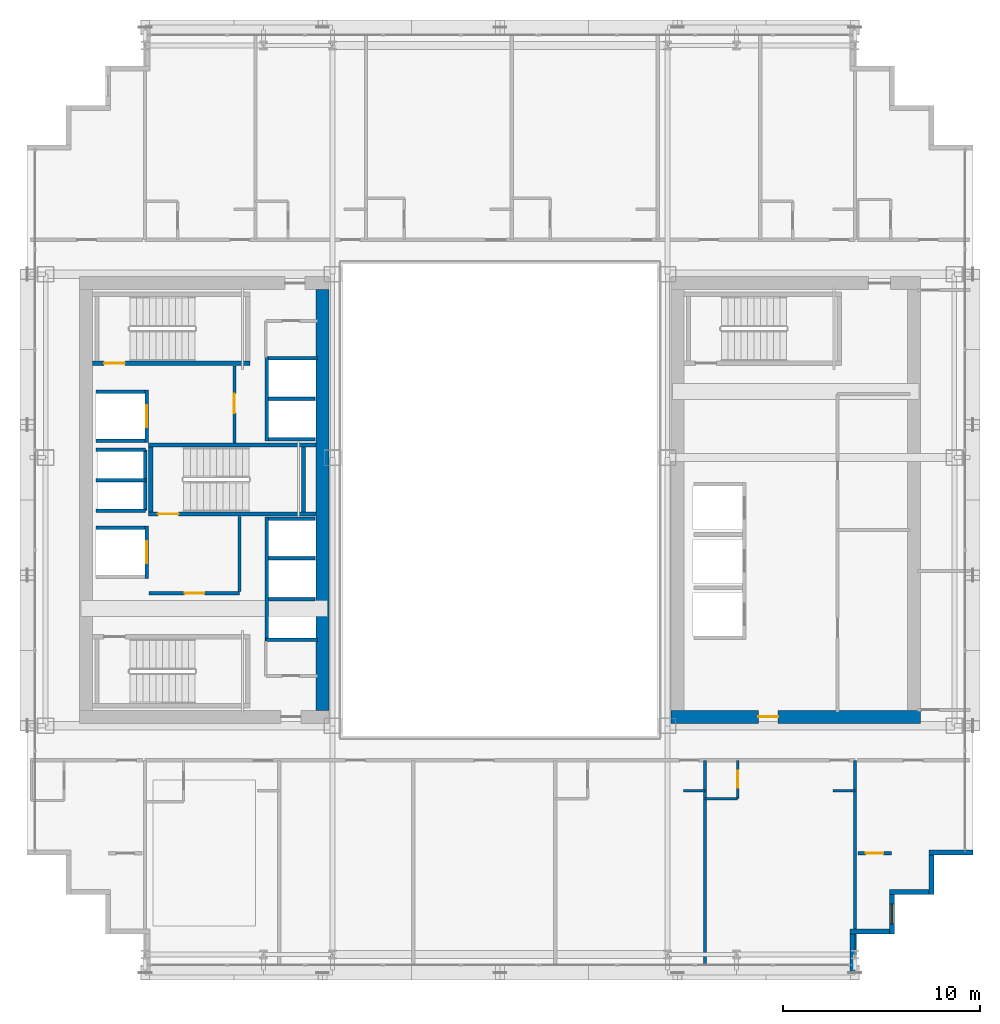
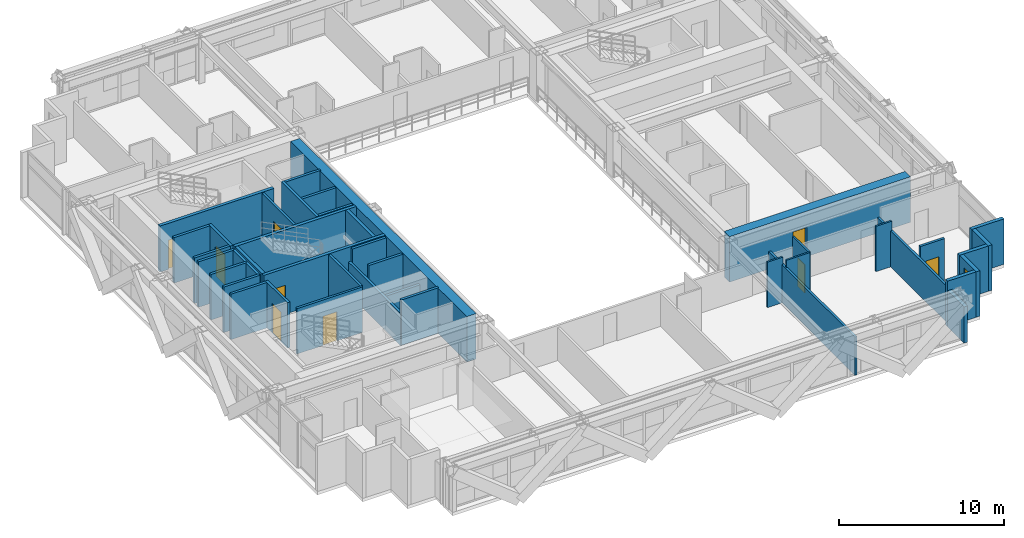
# One storey, part 28 of 35: 41 walls, 9 doors, 1 window, 10 openings.
"""IFC4 building model written with IfcOpenShell, lengths in metres."""

from ifc_helpers import new_model, si_unit, direction, frame, frame_2d, origin, place, context, subcontext, project, spatial, rectangle, extrude, source, transform, mapped, material, layer, layer_set, type_object, element, fill, save


model = new_model("IFC4")

# Units and contexts
model_context = context("Model", 3, precision=1e-05, world=origin(), true_north=direction((0.0, 1.0)))
body_context = subcontext(model_context, "Body", "Model", "MODEL_VIEW")
ifc_project = project(units=[si_unit("LENGTHUNIT", "METRE"), si_unit("AREAUNIT", "SQUARE_METRE"), si_unit("VOLUMEUNIT", "CUBIC_METRE"), si_unit("PLANEANGLEUNIT", "RADIAN"), si_unit("MASSUNIT", "GRAM", prefix="KILO")], contexts=[model_context])

# Site, building, storey
site_placement = place(None, origin())
site = spatial("IfcSite", under=ifc_project, at=site_placement, CompositionType="ELEMENT")
building_placement = place(site_placement, origin())
building = spatial("IfcBuilding", under=site, at=building_placement, Name="Ocotamira Hotel", CompositionType="ELEMENT")
storey_placement = place(building_placement, frame((0.0, 0.0, 144.0)))
storey = spatial("IfcBuildingStorey", under=building, at=storey_placement, Name="L36", CompositionType="ELEMENT", Elevation=144.0)

# Wall
ifc_material_1 = material(Name="Concrete C60/75", Category="concrete")
ifc_layer_1 = layer(ifc_material_1, 0.64990234375)
ifc_layer_set_1 = layer_set([ifc_layer_1], Name="Concrete C60/75")
wall_type_1 = type_object("IfcWallType", Name="WL-CORE-650", PredefinedType="SHEAR", material=ifc_layer_set_1)
wall_1_placement = place(storey_placement, frame((23.0, 15.324951171875, 0.0), z_axis=(0.0, 0.0, 1.0), x_axis=(0.0, 1.0, 0.0)))
element("IfcWall", 1, at=wall_1_placement, inside=storey, type_object=wall_type_1, Name="L36 Shear Core Wall WCORE-E", PredefinedType="SHEAR", context=body_context, shape_type="SweptSolid", body=[
    extrude(rectangle(XDim=21.35009765625, YDim=0.64990234375, at=frame_2d((10.675048828125, 0.0))), origin(), (0.0, 0.0, 1.0), 3.360107421875),
])

# Wall, opening, door
wall_2_placement = place(storey_placement, frame((40.675048828125, 15.0, 0.0), z_axis=(0.0, 0.0, 1.0), x_axis=(1.0, 0.0, 0.0)))
wall_2 = element("IfcWall", 2, at=wall_2_placement, inside=storey, type_object=wall_type_1, Name="L36 Shear Core Wall ECORE-S", PredefinedType="SHEAR", context=body_context, shape_type="SweptSolid", body=[
    extrude(rectangle(XDim=12.64990234375, YDim=0.64990234375, at=frame_2d((6.324951171875, 0.0))), origin(), (0.0, 0.0, 1.0), 3.360107421875),
])
opening_1_placement = place(wall_2_placement, frame((4.425048828125, 0.0, 0.0)))
opening_1 = element("IfcOpeningElement", 3, at=opening_1_placement, cuts=wall_2, Name="Opening D-FR2", PredefinedType="OPENING", context=body_context, shape_type="SweptSolid", body=[
    extrude(rectangle(XDim=1.0, YDim=2.14990234375, at=frame_2d((0.5, 1.074951171875))), frame((0.0, 0.3349609375, 0.0), z_axis=(0.0, -1.0, 0.0), x_axis=(1.0, 0.0, 0.0)), (0.0, 0.0, 1.0), 0.669921875),
])
ifc_material_2 = material(Name="Fire-rated acoustic timber-veneer door", Category="wood")
door_type_1 = type_object("IfcDoorType", Name="DR-FIRE-1000", OperationType="NOTDEFINED", PredefinedType="DOOR", material=ifc_material_2)
shared_shape_1 = source(origin(), body_context, "Body", "SweptSolid", [
    extrude(rectangle(XDim=1.0, YDim=2.14990234375, at=frame_2d((0.5, 1.074951171875))), frame((0.0, 0.02490234375, 0.0), z_axis=(0.0, -1.0, 0.0), x_axis=(1.0, 0.0, 0.0)), (0.0, 0.0, 1.0), 0.050048828125),
])
door_1_placement = place(opening_1_placement, origin())
door_1 = element("IfcDoor", 4, at=door_1_placement, inside=storey, type_object=door_type_1, Name="L36 Door ID-L36-ELOB-S-D [ID-L36-ELOB-S-D]", OperationType="SINGLE_SWING_RIGHT", OverallHeight=2.14990234375, OverallWidth=1.0, PredefinedType="DOOR", context=body_context, shape_type="MappedRepresentation", body=[
    mapped(shared_shape_1, transform((0.0, 0.0, 0.0), scale=1.0)),
])
fill(opening_1, door_1)

# Walls
ifc_material_3 = material(Name="Precast concrete C45/55", Category="concrete")
ifc_layer_2 = layer(ifc_material_3, 0.25)
ifc_layer_set_2 = layer_set([ifc_layer_2], Name="Precast concrete C45/55")
wall_type_2 = type_object("IfcWallType", Name="WL-EXT-SER-250", PredefinedType="SOLIDWALL", material=ifc_layer_set_2)
wall_3_placement = place(storey_placement, frame((49.875, 2.0, 0.0), z_axis=(0.0, 0.0, 1.0), x_axis=(0.0, 1.0, 0.0)))
element("IfcWall", 5, at=wall_3_placement, inside=storey, type_object=wall_type_2, Name="L36 Serrated Corner Wall 01", PredefinedType="SOLIDWALL", context=body_context, shape_type="SweptSolid", body=[
    extrude(rectangle(XDim=2.0, YDim=0.25, at=frame_2d((1.0, 0.0))), origin(), (0.0, 0.0, 1.0), 2.6669921875),
])
wall_4_placement = place(storey_placement, frame((49.75, 4.125, 0.0), z_axis=(0.0, 0.0, 1.0), x_axis=(1.0, 0.0, 0.0)))
element("IfcWall", 6, at=wall_4_placement, inside=storey, type_object=wall_type_2, Name="L36 Serrated Corner Wall 02", PredefinedType="SOLIDWALL", context=body_context, shape_type="SweptSolid", body=[
    extrude(rectangle(XDim=2.0, YDim=0.25, at=frame_2d((1.0, 0.0))), origin(), (0.0, 0.0, 1.0), 3.360107421875),
])

# Wall, opening, window
wall_5_placement = place(storey_placement, frame((51.875, 4.0, 0.0), z_axis=(0.0, 0.0, 1.0), x_axis=(0.0, 1.0, 0.0)))
wall_5 = element("IfcWall", 7, at=wall_5_placement, inside=storey, type_object=wall_type_2, Name="L36 Serrated Corner Wall 03", PredefinedType="SOLIDWALL", context=body_context, shape_type="SweptSolid", body=[
    extrude(rectangle(XDim=2.0, YDim=0.25, at=frame_2d((1.0, 0.0))), origin(), (0.0, 0.0, 1.0), 3.360107421875),
])
opening_2_placement = place(wall_5_placement, frame((0.5, 0.0, 0.85009765625)))
opening_2 = element("IfcOpeningElement", 8, at=opening_2_placement, cuts=wall_5, Name="Opening WN-2", PredefinedType="OPENING", context=body_context, shape_type="SweptSolid", body=[
    extrude(rectangle(XDim=1.0, YDim=1.89990234375, at=frame_2d((0.5, 0.949951171875))), frame((0.0, 0.135009765625, 0.0), z_axis=(0.0, -1.0, 0.0), x_axis=(1.0, 0.0, 0.0)), (0.0, 0.0, 1.0), 0.27001953125),
])
ifc_material_4 = material(Name="Double-silver low-E solar glass", Category="glass")
window_type = type_object("IfcWindowType", Name="WIN-SER-1100", PartitioningType="SINGLE_PANEL", PredefinedType="WINDOW", material=ifc_material_4)
shared_shape_2 = source(origin(), body_context, "Body", "SweptSolid", [
    extrude(rectangle(XDim=1.0, YDim=1.89990234375, at=frame_2d((0.5, 0.949951171875))), frame((0.0, 0.030029296875, 0.0), z_axis=(0.0, -1.0, 0.0), x_axis=(1.0, 0.0, 0.0)), (0.0, 0.0, 1.0), 0.06005859375),
])
window_placement = place(opening_2_placement, origin())
window = element("IfcWindow", 9, at=window_placement, inside=storey, type_object=window_type, Name="L36 Serrated Corner Window 03", OverallHeight=1.89990234375, OverallWidth=1.0, PartitioningType="SINGLE_PANEL", PredefinedType="WINDOW", context=body_context, shape_type="MappedRepresentation", body=[
    mapped(shared_shape_2, transform((0.0, 0.0, 0.0), scale=1.0)),
])
fill(opening_2, window)

# Walls
for number, where, z_axis, x_axis, name in (
    (10, (51.75, 6.125, 0.0), (0.0, 0.0, 1.0), (1.0, 0.0, 0.0), "L36 Serrated Corner Wall 04"),
    (11, (53.875, 6.0, 0.0), (0.0, 0.0, 1.0), (0.0, 1.0, 0.0), "L36 Serrated Corner Wall 05"),
):
    element("IfcWall", number, at=place(storey_placement, frame(where, z_axis=z_axis, x_axis=x_axis)), inside=storey, type_object=wall_type_2, Name=name, PredefinedType="SOLIDWALL", context=body_context, shape_type="SweptSolid", body=[
        extrude(rectangle(XDim=2.0, YDim=0.25, at=frame_2d((1.0, 0.0))), origin(), (0.0, 0.0, 1.0), 3.360107421875),
    ])
wall_6_placement = place(storey_placement, frame((53.75, 8.125, 0.0), z_axis=(0.0, 0.0, 1.0), x_axis=(1.0, 0.0, 0.0)))
element("IfcWall", 12, at=wall_6_placement, inside=storey, type_object=wall_type_2, Name="L36 Serrated Corner Wall 06", PredefinedType="SOLIDWALL", context=body_context, shape_type="SweptSolid", body=[
    extrude(rectangle(XDim=2.25, YDim=0.25, at=frame_2d((1.125, 0.0))), origin(), (0.0, 0.0, 1.0), 3.360107421875),
])

# Wall, opening, door
ifc_material_5 = material(Name="Acoustic double-layer fire gypsum board partition", Category="gypsum")
ifc_layer_3 = layer(ifc_material_5, 0.159912109375)
ifc_layer_set_3 = layer_set([ifc_layer_3], Name="Acoustic double-layer fire gypsum board partition")
wall_type_3 = type_object("IfcWallType", Name="WL-FIRE-160", PredefinedType="PARTITIONING", material=ifc_layer_set_3)
wall_7_placement = place(storey_placement, frame((14.199951171875, 21.27001953125, 0.0), z_axis=(0.0, 0.0, 1.0), x_axis=(1.0, 0.0, 0.0)))
wall_7 = element("IfcWall", 13, at=wall_7_placement, inside=storey, type_object=wall_type_3, Name="L36 Interior Wall PW-L36-FSAE1-S", PredefinedType="PARTITIONING", context=body_context, shape_type="SweptSolid", body=[
    extrude(rectangle(XDim=4.580078125, YDim=0.159912109375, at=frame_2d((2.2900390625, 0.0))), origin(), (0.0, 0.0, 1.0), 3.360107421875),
])
opening_3_placement = place(wall_7_placement, frame((1.800048828125, 0.0, 0.0)))
opening_3 = element("IfcOpeningElement", 14, at=opening_3_placement, cuts=wall_7, Name="Opening D-FR2", PredefinedType="OPENING", context=body_context, shape_type="SweptSolid", body=[
    extrude(rectangle(XDim=1.0, YDim=2.14990234375, at=frame_2d((0.5, 1.074951171875))), frame((0.0, 0.08984375, 0.0), z_axis=(0.0, -1.0, 0.0), x_axis=(1.0, 0.0, 0.0)), (0.0, 0.0, 1.0), 0.179931640625),
])
door_2_placement = place(opening_3_placement, origin())
door_2 = element("IfcDoor", 15, at=door_2_placement, inside=storey, type_object=door_type_1, Name="L36 Door ID-L36-FSAE1-D [ID-L36-FSAE1-D]", OperationType="SINGLE_SWING_LEFT", OverallHeight=2.14990234375, OverallWidth=1.0, PredefinedType="DOOR", context=body_context, shape_type="MappedRepresentation", body=[
    mapped(shared_shape_1, transform((0.0, 0.0, 0.0), scale=1.0)),
])
fill(opening_3, door_2)

# Wall
wall_8_placement = place(storey_placement, frame((18.780029296875, 21.35009765625, 0.0), z_axis=(0.0, 0.0, 1.0), x_axis=(0.0, 1.0, 0.0)))
element("IfcWall", 16, at=wall_8_placement, inside=storey, type_object=wall_type_3, Name="L36 Interior Wall PW-L36-FSAE1-E", PredefinedType="PARTITIONING", context=body_context, shape_type="SweptSolid", body=[
    extrude(rectangle(XDim=3.809814453125, YDim=0.159912109375, at=frame_2d((1.90478515625, 0.0))), origin(), (0.0, 0.0, 1.0), 3.360107421875),
])

# Wall, opening, door
wall_9_placement = place(storey_placement, frame((18.530029296875, 28.89990234375, 0.0), z_axis=(0.0, 0.0, 1.0), x_axis=(0.0, 1.0, 0.0)))
wall_9 = element("IfcWall", 17, at=wall_9_placement, inside=storey, type_object=wall_type_3, Name="L36 Interior Wall PW-L36-FSAE2-E", PredefinedType="PARTITIONING", context=body_context, shape_type="SweptSolid", body=[
    extrude(rectangle(XDim=3.900146484375, YDim=0.159912109375, at=frame_2d((1.9501953125, 0.0))), origin(), (0.0, 0.0, 1.0), 3.360107421875),
])
opening_4_placement = place(wall_9_placement, frame((1.5, 0.0, 0.0)))
opening_4 = element("IfcOpeningElement", 18, at=opening_4_placement, cuts=wall_9, Name="Opening D-FR2", PredefinedType="OPENING", context=body_context, shape_type="SweptSolid", body=[
    extrude(rectangle(XDim=1.0, YDim=2.14990234375, at=frame_2d((0.5, 1.074951171875))), frame((0.0, 0.08984375, 0.0), z_axis=(0.0, -1.0, 0.0), x_axis=(1.0, 0.0, 0.0)), (0.0, 0.0, 1.0), 0.179931640625),
])
door_3_placement = place(opening_4_placement, origin())
door_3 = element("IfcDoor", 19, at=door_3_placement, inside=storey, type_object=door_type_1, Name="L36 Door ID-L36-FSAE2-D [ID-L36-FSAE2-D]", OperationType="SINGLE_SWING_RIGHT", OverallHeight=2.14990234375, OverallWidth=1.0, PredefinedType="DOOR", context=body_context, shape_type="MappedRepresentation", body=[
    mapped(shared_shape_1, transform((0.0, 0.0, 0.0), scale=1.0)),
])
fill(opening_4, door_3)

wall_10_placement = place(storey_placement, frame((50.14990234375, 8.080078125, 0.0), z_axis=(0.0, 0.0, 1.0), x_axis=(1.0, 0.0, 0.0)))
wall_10 = element("IfcWall", 20, at=wall_10_placement, inside=storey, type_object=wall_type_3, Name="L36 Interior Wall PW-L36-Z2E-CSE2-CW", PredefinedType="PARTITIONING", context=body_context, shape_type="SweptSolid", body=[
    extrude(rectangle(XDim=1.7001953125, YDim=0.159912109375, at=frame_2d((0.85009765625, 0.0))), origin(), (0.0, 0.0, 1.0), 3.360107421875),
])
opening_5_placement = place(wall_10_placement, frame((0.409912109375, 0.0, 0.0)))
opening_5 = element("IfcOpeningElement", 21, at=opening_5_placement, cuts=wall_10, Name="Opening D-SV2", PredefinedType="OPENING", context=body_context, shape_type="SweptSolid", body=[
    extrude(rectangle(XDim=0.8798828125, YDim=2.14990234375, at=frame_2d((0.43994140625, 1.074951171875))), frame((0.0, 0.08984375, 0.0), z_axis=(0.0, -1.0, 0.0), x_axis=(1.0, 0.0, 0.0)), (0.0, 0.0, 1.0), 0.179931640625),
])
ifc_material_6 = material(Name="Fire-rated painted steel service door", Category="steel")
door_type_2 = type_object("IfcDoorType", Name="DR-SERV-880", OperationType="NOTDEFINED", PredefinedType="DOOR", material=ifc_material_6)
shared_shape_3 = source(origin(), body_context, "Body", "SweptSolid", [
    extrude(rectangle(XDim=0.8798828125, YDim=2.14990234375, at=frame_2d((0.43994140625, 1.074951171875))), frame((0.0, 0.02490234375, 0.0), z_axis=(0.0, -1.0, 0.0), x_axis=(1.0, 0.0, 0.0)), (0.0, 0.0, 1.0), 0.050048828125),
])
door_4_placement = place(opening_5_placement, origin())
door_4 = element("IfcDoor", 22, at=door_4_placement, inside=storey, type_object=door_type_2, Name="L36 Door ID-L36-Z2E-CSE2-CD [ID-L36-Z2E-CSE2-CD]", OperationType="SINGLE_SWING_LEFT", OverallHeight=2.14990234375, OverallWidth=0.8798828125, PredefinedType="DOOR", context=body_context, shape_type="MappedRepresentation", body=[
    mapped(shared_shape_3, transform((0.0, 0.0, 0.0), scale=1.0)),
])
fill(opening_5, door_4)

# Wall
ifc_material_7 = material(Name="Moisture-resistant en-suite tile and gypsum partition", Category="gypsum")
ifc_layer_4 = layer(ifc_material_7, 0.1201171875)
ifc_layer_set_4 = layer_set([ifc_layer_4], Name="Moisture-resistant en-suite tile and gypsum partition")
wall_type_4 = type_object("IfcWallType", Name="WL-PART-120", PredefinedType="PARTITIONING", material=ifc_layer_set_4)
wall_11_placement = place(storey_placement, frame((41.300048828125, 11.25, 0.0), z_axis=(0.0, 0.0, 1.0), x_axis=(1.0, 0.0, 0.0)))
element("IfcWall", 23, at=wall_11_placement, inside=storey, type_object=wall_type_4, Name="L36 Interior Wall PW-L36-Z2ES-DRN4", PredefinedType="PARTITIONING", context=body_context, shape_type="SweptSolid", body=[
    extrude(rectangle(XDim=1.099853515625, YDim=0.1201171875, at=frame_2d((0.5498046875, 0.0))), origin(), (0.0, 0.0, 1.0), 3.360107421875),
])

# Wall, opening, door
wall_12_placement = place(storey_placement, frame((44.050048828125, 10.85009765625, 0.0), z_axis=(0.0, 0.0, 1.0), x_axis=(0.0, 1.0, 0.0)))
wall_12 = element("IfcWall", 24, at=wall_12_placement, inside=storey, type_object=wall_type_4, Name="L36 Interior Wall PW-L36-Z2ES-BAE5", PredefinedType="PARTITIONING", context=body_context, shape_type="SweptSolid", body=[
    extrude(rectangle(XDim=1.949951171875, YDim=0.1201171875, at=frame_2d((0.97509765625, 0.0))), origin(), (0.0, 0.0, 1.0), 3.360107421875),
])
opening_6_placement = place(wall_12_placement, frame((0.544921875, 0.0, 0.0)))
opening_6 = element("IfcOpeningElement", 25, at=opening_6_placement, cuts=wall_12, Name="Opening D-BA1", PredefinedType="OPENING", context=body_context, shape_type="SweptSolid", body=[
    extrude(rectangle(XDim=0.860107421875, YDim=2.10009765625, at=frame_2d((0.43017578125, 1.050048828125))), frame((0.0, 0.070068359375, 0.0), z_axis=(0.0, -1.0, 0.0), x_axis=(1.0, 0.0, 0.0)), (0.0, 0.0, 1.0), 0.14013671875),
])
ifc_material_8 = material(Name="Moisture-sealed en-suite timber door", Category="wood")
door_type_3 = type_object("IfcDoorType", Name="DR-BATH-860", OperationType="NOTDEFINED", PredefinedType="DOOR", material=ifc_material_8)
shared_shape_4 = source(origin(), body_context, "Body", "SweptSolid", [
    extrude(rectangle(XDim=0.860107421875, YDim=2.10009765625, at=frame_2d((0.43017578125, 1.050048828125))), frame((0.0, 0.02490234375, 0.0), z_axis=(0.0, -1.0, 0.0), x_axis=(1.0, 0.0, 0.0)), (0.0, 0.0, 1.0), 0.050048828125),
])
door_5_placement = place(opening_6_placement, origin())
door_5 = element("IfcDoor", 26, at=door_5_placement, inside=storey, type_object=door_type_3, Name="L36 Door ID-L36-Z2ES-BAD5 [ID-L36-Z2ES-BAD5]", OperationType="SINGLE_SWING_RIGHT", OverallHeight=2.10009765625, OverallWidth=0.860107421875, PredefinedType="DOOR", context=body_context, shape_type="MappedRepresentation", body=[
    mapped(shared_shape_4, transform((0.0, 0.0, 0.0), scale=1.0)),
])
fill(opening_6, door_5)

# Walls
wall_13_placement = place(storey_placement, frame((42.39990234375, 10.85009765625, 0.0), z_axis=(0.0, 0.0, 1.0), x_axis=(1.0, 0.0, 0.0)))
element("IfcWall", 27, at=wall_13_placement, inside=storey, type_object=wall_type_4, Name="L36 Interior Wall PW-L36-Z2ES-BAS5", PredefinedType="PARTITIONING", context=body_context, shape_type="SweptSolid", body=[
    extrude(rectangle(XDim=1.650146484375, YDim=0.1201171875, at=frame_2d((0.8251953125, 0.0))), origin(), (0.0, 0.0, 1.0), 3.360107421875),
])
wall_14_placement = place(storey_placement, frame((48.89990234375, 11.25, 0.0), z_axis=(0.0, 0.0, 1.0), x_axis=(1.0, 0.0, 0.0)))
element("IfcWall", 28, at=wall_14_placement, inside=storey, type_object=wall_type_4, Name="L36 Interior Wall PW-L36-Z2ES-DRN5", PredefinedType="PARTITIONING", context=body_context, shape_type="SweptSolid", body=[
    extrude(rectangle(XDim=1.10009765625, YDim=0.1201171875, at=frame_2d((0.550048828125, 0.0))), origin(), (0.0, 0.0, 1.0), 3.360107421875),
])
ifc_material_9 = material(Name="Acoustic double-stud hospitality gypsum partition", Category="gypsum")
ifc_layer_5 = layer(ifc_material_9, 0.159912109375)
ifc_layer_set_5 = layer_set([ifc_layer_5], Name="Acoustic double-stud hospitality gypsum partition")
wall_type_5 = type_object("IfcWallType", Name="WL-PART-160", PredefinedType="PARTITIONING", material=ifc_layer_set_5)
wall_15_placement = place(storey_placement, frame((50.0, 2.360107421875, 0.0), z_axis=(0.0, 0.0, 1.0), x_axis=(0.0, 1.0, 0.0)))
element("IfcWall", 29, at=wall_15_placement, inside=storey, type_object=wall_type_5, Name="L36 Interior Wall PW-L36-Z2ES-PWEND", PredefinedType="PARTITIONING", context=body_context, shape_type="SweptSolid", body=[
    extrude(rectangle(XDim=10.43994140625, YDim=0.159912109375, at=frame_2d((5.219970703125, 0.0))), origin(), (0.0, 0.0, 1.0), 2.6669921875),
])
wall_16_placement = place(storey_placement, frame((42.39990234375, 2.360107421875, 0.0), z_axis=(0.0, 0.0, 1.0), x_axis=(0.0, 1.0, 0.0)))
element("IfcWall", 30, at=wall_16_placement, inside=storey, type_object=wall_type_5, Name="L36 Interior Wall PW-L36-Z2ES-PW4", PredefinedType="PARTITIONING", context=body_context, shape_type="SweptSolid", body=[
    extrude(rectangle(XDim=10.43994140625, YDim=0.159912109375, at=frame_2d((5.219970703125, 0.0))), origin(), (0.0, 0.0, 1.0), 2.822998046875),
])
ifc_material_10 = material(Name="Fire-rated gypsum shaftliner board assembly", Category="gypsum")
ifc_layer_6 = layer(ifc_material_10, 0.179931640625)
ifc_layer_set_6 = layer_set([ifc_layer_6], Name="Fire-rated gypsum shaftliner board assembly")
wall_type_6 = type_object("IfcWallType", Name="WL-SHAFT-180", PredefinedType="SOLIDWALL", material=ifc_layer_set_6)
wall_17_placement = place(storey_placement, frame((20.159912109375, 18.820068359375, 0.0), z_axis=(0.0, 0.0, 1.0), x_axis=(0.0, 1.0, 0.0)))
element("IfcWall", 31, at=wall_17_placement, inside=storey, type_object=wall_type_6, Name="L36 Interior Wall PW-L36-LFW-BANK-high-F", PredefinedType="SOLIDWALL", context=body_context, shape_type="SweptSolid", body=[
    extrude(rectangle(XDim=6.31982421875, YDim=0.179931640625, at=frame_2d((3.159912109375, 0.0))), origin(), (0.0, 0.0, 1.0), 2.360107421875),
])
wall_18_placement = place(storey_placement, frame((20.1201171875, 18.909912109375, 0.0), z_axis=(0.0, 0.0, 1.0), x_axis=(1.0, 0.0, 0.0)))
element("IfcWall", 32, at=wall_18_placement, inside=storey, type_object=wall_type_6, Name="L36 Interior Wall PW-L36-LFW-BANK-high-S", PredefinedType="SOLIDWALL", context=body_context, shape_type="SweptSolid", body=[
    extrude(rectangle(XDim=2.6298828125, YDim=0.179931640625, at=frame_2d((1.31494140625, 0.0))), origin(), (0.0, 0.0, 1.0), 3.360107421875),
])
wall_19_placement = place(storey_placement, frame((20.25, 25.050048828125, 0.0), z_axis=(0.0, 0.0, 1.0), x_axis=(1.0, 0.0, 0.0)))
element("IfcWall", 33, at=wall_19_placement, inside=storey, type_object=wall_type_6, Name="L36 Interior Wall PW-L36-LFW-BANK-high-N", PredefinedType="SOLIDWALL", context=body_context, shape_type="SweptSolid", body=[
    extrude(rectangle(XDim=2.360107421875, YDim=0.179931640625, at=frame_2d((1.18017578125, 0.0))), origin(), (0.0, 0.0, 1.0), 3.360107421875),
])
wall_20_placement = place(storey_placement, frame((20.25, 20.965087890625, 0.0), z_axis=(0.0, 0.0, 1.0), x_axis=(1.0, 0.0, 0.0)))
element("IfcWall", 34, at=wall_20_placement, inside=storey, type_object=wall_type_6, Name="L36 Interior Wall PW-L36-LFW-DIV-LF-P7", PredefinedType="SOLIDWALL", context=body_context, shape_type="SweptSolid", body=[
    extrude(rectangle(XDim=2.360107421875, YDim=0.179931640625, at=frame_2d((1.18017578125, 0.0))), origin(), (0.0, 0.0, 1.0), 2.360107421875),
])
wall_21_placement = place(storey_placement, frame((20.25, 23.044921875, 0.0), z_axis=(0.0, 0.0, 1.0), x_axis=(1.0, 0.0, 0.0)))
element("IfcWall", 35, at=wall_21_placement, inside=storey, type_object=wall_type_6, Name="L36 Interior Wall PW-L36-LFW-DIV-LF-P8", PredefinedType="SOLIDWALL", context=body_context, shape_type="SweptSolid", body=[
    extrude(rectangle(XDim=2.360107421875, YDim=0.179931640625, at=frame_2d((1.18017578125, 0.0))), origin(), (0.0, 0.0, 1.0), 3.360107421875),
])
wall_22_placement = place(storey_placement, frame((20.159912109375, 29.0, 0.0), z_axis=(0.0, 0.0, 1.0), x_axis=(0.0, 1.0, 0.0)))
element("IfcWall", 36, at=wall_22_placement, inside=storey, type_object=wall_type_6, Name="L36 Interior Wall PW-L36-LFW-BANK-obs-F", PredefinedType="SOLIDWALL", context=body_context, shape_type="SweptSolid", body=[
    extrude(rectangle(XDim=4.2900390625, YDim=0.179931640625, at=frame_2d((2.14501953125, 0.0))), origin(), (0.0, 0.0, 1.0), 3.360107421875),
])
wall_23_placement = place(storey_placement, frame((20.25, 29.090087890625, 0.0), z_axis=(0.0, 0.0, 1.0), x_axis=(1.0, 0.0, 0.0)))
element("IfcWall", 37, at=wall_23_placement, inside=storey, type_object=wall_type_6, Name="L36 Interior Wall PW-L36-LFW-BANK-obs-S", PredefinedType="SOLIDWALL", context=body_context, shape_type="SweptSolid", body=[
    extrude(rectangle(XDim=2.360107421875, YDim=0.179931640625, at=frame_2d((1.18017578125, 0.0))), origin(), (0.0, 0.0, 1.0), 3.360107421875),
])
wall_24_placement = place(storey_placement, frame((20.25, 33.199951171875, 0.0), z_axis=(0.0, 0.0, 1.0), x_axis=(1.0, 0.0, 0.0)))
element("IfcWall", 38, at=wall_24_placement, inside=storey, type_object=wall_type_6, Name="L36 Interior Wall PW-L36-LFW-BANK-obs-N", PredefinedType="SOLIDWALL", context=body_context, shape_type="SweptSolid", body=[
    extrude(rectangle(XDim=2.5, YDim=0.179931640625, at=frame_2d((1.25, 0.0))), origin(), (0.0, 0.0, 1.0), 3.360107421875),
])
wall_25_placement = place(storey_placement, frame((20.25, 31.14501953125, 0.0), z_axis=(0.0, 0.0, 1.0), x_axis=(1.0, 0.0, 0.0)))
element("IfcWall", 39, at=wall_25_placement, inside=storey, type_object=wall_type_6, Name="L36 Interior Wall PW-L36-LFW-DIV-LF-OBS1", PredefinedType="SOLIDWALL", context=body_context, shape_type="SweptSolid", body=[
    extrude(rectangle(XDim=2.360107421875, YDim=0.179931640625, at=frame_2d((1.18017578125, 0.0))), origin(), (0.0, 0.0, 1.0), 3.360107421875),
])
wall_26_placement = place(storey_placement, frame((11.5, 24.590087890625, 0.0), z_axis=(0.0, 0.0, 1.0), x_axis=(1.0, 0.0, 0.0)))
element("IfcWall", 40, at=wall_26_placement, inside=storey, type_object=wall_type_6, Name="L36 Interior Wall PW-L36-LFW-LF-FSAE1-N", PredefinedType="SOLIDWALL", context=body_context, shape_type="SweptSolid", body=[
    extrude(rectangle(XDim=2.5, YDim=0.179931640625, at=frame_2d((1.25, 0.0))), origin(), (0.0, 0.0, 1.0), 3.360107421875),
])

# Wall, opening, door
wall_27_placement = place(storey_placement, frame((14.090087890625, 22.02001953125, 0.0), z_axis=(0.0, 0.0, 1.0), x_axis=(0.0, 1.0, 0.0)))
wall_27 = element("IfcWall", 41, at=wall_27_placement, inside=storey, type_object=wall_type_6, Name="L36 Interior Wall PW-L36-LFW-LF-FSAE1-E", PredefinedType="SOLIDWALL", context=body_context, shape_type="SweptSolid", body=[
    extrude(rectangle(XDim=2.659912109375, YDim=0.179931640625, at=frame_2d((1.330078125, 0.0))), origin(), (0.0, 0.0, 1.0), 3.360107421875),
])
opening_7_placement = place(wall_27_placement, frame((0.780029296875, 0.0, 0.0)))
opening_7 = element("IfcOpeningElement", 42, at=opening_7_placement, cuts=wall_27, Name="Opening LD-LF-FSAE1", PredefinedType="OPENING", context=body_context, shape_type="SweptSolid", body=[
    extrude(rectangle(XDim=1.10009765625, YDim=2.199951171875, at=frame_2d((0.550048828125, 1.10009765625))), frame((0.0, 0.10009765625, 0.0), z_axis=(0.0, -1.0, 0.0), x_axis=(1.0, 0.0, 0.0)), (0.0, 0.0, 1.0), 0.199951171875),
])
ifc_material_11 = material(Name="Brushed pale-metal stainless elevator landing door", Category="steel")
door_type_4 = type_object("IfcDoorType", Name="DR-LIFT-1100", OperationType="NOTDEFINED", PredefinedType="DOOR", material=ifc_material_11)
shared_shape_5 = source(origin(), body_context, "Body", "SweptSolid", [
    extrude(rectangle(XDim=1.10009765625, YDim=2.199951171875, at=frame_2d((0.550048828125, 1.10009765625))), frame((0.0, 0.02490234375, 0.0), z_axis=(0.0, -1.0, 0.0), x_axis=(1.0, 0.0, 0.0)), (0.0, 0.0, 1.0), 0.050048828125),
])
door_6_placement = place(opening_7_placement, origin())
door_6 = element("IfcDoor", 43, at=door_6_placement, inside=storey, type_object=door_type_4, Name="L36 Landing Door LD-LF-FSAE1 [ID-L36-LD-LF-FSAE1]", OperationType="DOUBLE_DOOR_SLIDING", OverallHeight=2.199951171875, OverallWidth=1.10009765625, PredefinedType="DOOR", context=body_context, shape_type="MappedRepresentation", body=[
    mapped(shared_shape_5, transform((0.0, 0.0, 0.0), scale=1.0)),
])
fill(opening_7, door_6)

# Walls
for number, where, z_axis, x_axis, name in (
    (44, (11.5, 29.010009765625, 0.0), (0.0, 0.0, 1.0), (1.0, 0.0, 0.0), "L36 Interior Wall PW-L36-LFW-LF-FSAE2-S"),
    (45, (11.5, 31.489990234375, 0.0), (0.0, 0.0, 1.0), (1.0, 0.0, 0.0), "L36 Interior Wall PW-L36-LFW-LF-FSAE2-N"),
):
    element("IfcWall", number, at=place(storey_placement, frame(where, z_axis=z_axis, x_axis=x_axis)), inside=storey, type_object=wall_type_6, Name=name, PredefinedType="SOLIDWALL", context=body_context, shape_type="SweptSolid", body=[
        extrude(rectangle(XDim=2.5, YDim=0.179931640625, at=frame_2d((1.25, 0.0))), origin(), (0.0, 0.0, 1.0), 3.360107421875),
    ])

# Wall, opening, door
wall_28_placement = place(storey_placement, frame((14.090087890625, 28.919921875, 0.0), z_axis=(0.0, 0.0, 1.0), x_axis=(0.0, 1.0, 0.0)))
wall_28 = element("IfcWall", 46, at=wall_28_placement, inside=storey, type_object=wall_type_6, Name="L36 Interior Wall PW-L36-LFW-LF-FSAE2-E", PredefinedType="SOLIDWALL", context=body_context, shape_type="SweptSolid", body=[
    extrude(rectangle(XDim=2.66015625, YDim=0.179931640625, at=frame_2d((1.330078125, 0.0))), origin(), (0.0, 0.0, 1.0), 3.360107421875),
])
opening_8_placement = place(wall_28_placement, frame((0.780029296875, 0.0, 0.0)))
opening_8 = element("IfcOpeningElement", 47, at=opening_8_placement, cuts=wall_28, Name="Opening LD-LF-FSAE2", PredefinedType="OPENING", context=body_context, shape_type="SweptSolid", body=[
    extrude(rectangle(XDim=1.10009765625, YDim=2.199951171875, at=frame_2d((0.550048828125, 1.10009765625))), frame((0.0, 0.10009765625, 0.0), z_axis=(0.0, -1.0, 0.0), x_axis=(1.0, 0.0, 0.0)), (0.0, 0.0, 1.0), 0.199951171875),
])
door_7_placement = place(opening_8_placement, origin())
door_7 = element("IfcDoor", 48, at=door_7_placement, inside=storey, type_object=door_type_4, Name="L36 Landing Door LD-LF-FSAE2 [ID-L36-LD-LF-FSAE2]", OperationType="DOUBLE_DOOR_SLIDING", OverallHeight=2.199951171875, OverallWidth=1.10009765625, PredefinedType="DOOR", context=body_context, shape_type="MappedRepresentation", body=[
    mapped(shared_shape_5, transform((0.0, 0.0, 0.0), scale=1.0)),
])
fill(opening_8, door_7)

# Walls
for number, where, z_axis, x_axis, name in (
    (49, (11.5, 25.4599609375, 0.0), (0.0, 0.0, 1.0), (1.0, 0.0, 0.0), "L36 Interior Wall PW-L36-RSW-S"),
    (50, (11.5, 27.0, 0.0), (0.0, 0.0, 1.0), (1.0, 0.0, 0.0), "L36 Interior Wall PW-L36-RSW-MID"),
    (51, (11.5, 28.5400390625, 0.0), (0.0, 0.0, 1.0), (1.0, 0.0, 0.0), "L36 Interior Wall PW-L36-RSW-N"),
):
    element("IfcWall", number, at=place(storey_placement, frame(where, z_axis=z_axis, x_axis=x_axis)), inside=storey, type_object=wall_type_6, Name=name, PredefinedType="SOLIDWALL", context=body_context, shape_type="SweptSolid", body=[
        extrude(rectangle(XDim=2.510009765625, YDim=0.179931640625, at=frame_2d((1.2548828125, 0.0))), origin(), (0.0, 0.0, 1.0), 3.360107421875),
    ])
wall_29_placement = place(storey_placement, frame((14.010009765625, 25.4599609375, 0.0), z_axis=(0.0, 0.0, 1.0), x_axis=(0.0, 1.0, 0.0)))
element("IfcWall", 52, at=wall_29_placement, inside=storey, type_object=wall_type_6, Name="L36 Interior Wall PW-L36-RSW-E", PredefinedType="SOLIDWALL", context=body_context, shape_type="SweptSolid", body=[
    extrude(rectangle(XDim=3.080078125, YDim=0.179931640625, at=frame_2d((1.5400390625, 0.0))), origin(), (0.0, 0.0, 1.0), 3.360107421875),
])

# Wall, opening, door
ifc_material_12 = material(Name="Concrete C50/60", Category="concrete")
ifc_layer_7 = layer(ifc_material_12, 0.219970703125)
ifc_layer_set_7 = layer_set([ifc_layer_7], Name="Concrete C50/60")
wall_type_7 = type_object("IfcWallType", Name="WL-STAIR-220", PredefinedType="SHEAR", material=ifc_layer_set_7)
wall_30_placement = place(storey_placement, frame((11.324951171875, 32.93994140625, 0.0), z_axis=(0.0, 0.0, 1.0), x_axis=(1.0, 0.0, 0.0)))
wall_30 = element("IfcWall", 53, at=wall_30_placement, inside=storey, type_object=wall_type_7, Name="L36 Stair Shaft Structural Wall ST-2-S", PredefinedType="SHEAR", context=body_context, shape_type="SweptSolid", body=[
    extrude(rectangle(XDim=7.985107421875, YDim=0.219970703125, at=frame_2d((3.99267578125, 0.0))), origin(), (0.0, 0.0, 1.0), 3.39990234375),
])
opening_9_placement = place(wall_30_placement, frame((0.594970703125, 0.0, 0.0)))
opening_9 = element("IfcOpeningElement", 54, at=opening_9_placement, cuts=wall_30, Name="Opening D-ST2", PredefinedType="OPENING", context=body_context, shape_type="SweptSolid", body=[
    extrude(rectangle(XDim=1.050048828125, YDim=2.14990234375, at=frame_2d((0.52490234375, 1.074951171875))), frame((0.0, 0.1201171875, 0.0), z_axis=(0.0, -1.0, 0.0), x_axis=(1.0, 0.0, 0.0)), (0.0, 0.0, 1.0), 0.239990234375),
])
ifc_material_13 = material(Name="Insulated painted hollow-metal fire exit door", Category="steel")
door_type_5 = type_object("IfcDoorType", Name="DR-STAIR-1050", OperationType="NOTDEFINED", PredefinedType="DOOR", material=ifc_material_13)
shared_shape_6 = source(origin(), body_context, "Body", "SweptSolid", [
    extrude(rectangle(XDim=1.050048828125, YDim=2.14990234375, at=frame_2d((0.52490234375, 1.074951171875))), frame((0.0, 0.02490234375, 0.0), z_axis=(0.0, -1.0, 0.0), x_axis=(1.0, 0.0, 0.0)), (0.0, 0.0, 1.0), 0.050048828125),
])
door_8_placement = place(opening_9_placement, origin())
door_8 = element("IfcDoor", 55, at=door_8_placement, inside=storey, type_object=door_type_5, Name="L36 Door ID-L36-STD-ST-2 [ID-L36-STD-ST-2]", OperationType="SINGLE_SWING_RIGHT", OverallHeight=2.14990234375, OverallWidth=1.050048828125, PredefinedType="DOOR", context=body_context, shape_type="MappedRepresentation", body=[
    mapped(shared_shape_6, transform((0.0, 0.0, 0.0), scale=1.0)),
])
fill(opening_9, door_8)

wall_31_placement = place(storey_placement, frame((14.179931640625, 25.2900390625, 0.0), z_axis=(0.0, 0.0, 1.0), x_axis=(1.0, 0.0, 0.0)))
wall_31 = element("IfcWall", 56, at=wall_31_placement, inside=storey, type_object=wall_type_7, Name="L36 Stair Shaft Structural Wall ST-3-S", PredefinedType="SHEAR", context=body_context, shape_type="SweptSolid", body=[
    extrude(rectangle(XDim=8.4951171875, YDim=0.219970703125, at=frame_2d((4.24755859375, 0.0))), origin(), (0.0, 0.0, 1.0), 3.39990234375),
])
opening_10_placement = place(wall_31_placement, frame((0.469970703125, 0.0, 0.0)))
opening_10 = element("IfcOpeningElement", 57, at=opening_10_placement, cuts=wall_31, Name="Opening D-ST2", PredefinedType="OPENING", context=body_context, shape_type="SweptSolid", body=[
    extrude(rectangle(XDim=1.050048828125, YDim=2.14990234375, at=frame_2d((0.52490234375, 1.074951171875))), frame((0.0, 0.1201171875, 0.0), z_axis=(0.0, -1.0, 0.0), x_axis=(1.0, 0.0, 0.0)), (0.0, 0.0, 1.0), 0.239990234375),
])
door_9_placement = place(opening_10_placement, origin())
door_9 = element("IfcDoor", 58, at=door_9_placement, inside=storey, type_object=door_type_5, Name="L36 Door ID-L36-STD-ST-3 [ID-L36-STD-ST-3]", OperationType="SINGLE_SWING_LEFT", OverallHeight=2.14990234375, OverallWidth=1.050048828125, PredefinedType="DOOR", context=body_context, shape_type="MappedRepresentation", body=[
    mapped(shared_shape_6, transform((0.0, 0.0, 0.0), scale=1.0)),
])
fill(opening_10, door_9)

# Walls
wall_32_placement = place(storey_placement, frame((14.179931640625, 28.7900390625, 0.0), z_axis=(0.0, 0.0, 1.0), x_axis=(1.0, 0.0, 0.0)))
element("IfcWall", 59, at=wall_32_placement, inside=storey, type_object=wall_type_7, Name="L36 Stair Shaft Structural Wall ST-3-N", PredefinedType="SHEAR", context=body_context, shape_type="SweptSolid", body=[
    extrude(rectangle(XDim=8.4951171875, YDim=0.219970703125, at=frame_2d((4.24755859375, 0.0))), origin(), (0.0, 0.0, 1.0), 3.39990234375),
])
for number, where, z_axis, x_axis, name in (
    (60, (14.2900390625, 25.39990234375, 0.0), (0.0, 0.0, 1.0), (0.0, 1.0, 0.0), "L36 Stair Shaft Structural Wall ST-3-W"),
    (61, (22.030029296875, 25.39990234375, 0.0), (0.0, 0.0, 1.0), (0.0, 1.0, 0.0), "L36 Stair Shaft Structural Wall ST-3-E"),
):
    element("IfcWall", number, at=place(storey_placement, frame(where, z_axis=z_axis, x_axis=x_axis)), inside=storey, type_object=wall_type_7, Name=name, PredefinedType="SHEAR", context=body_context, shape_type="SweptSolid", body=[
        extrude(rectangle(XDim=3.280029296875, YDim=0.219970703125, at=frame_2d((1.64013671875, 0.0))), origin(), (0.0, 0.0, 1.0), 3.39990234375),
    ])

save(model, "model.ifc")
